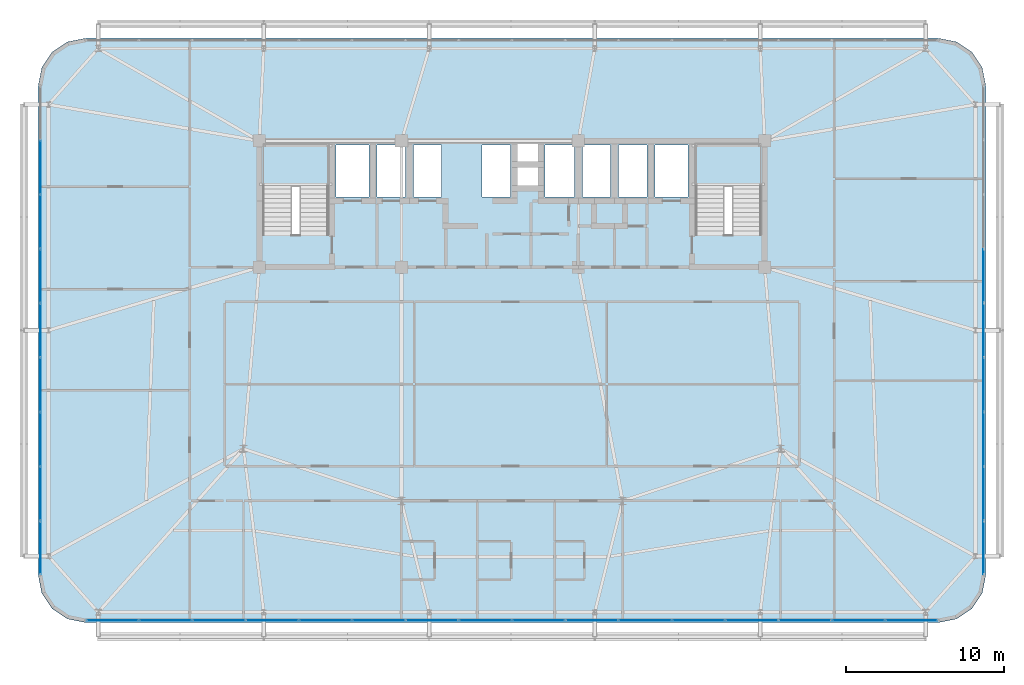
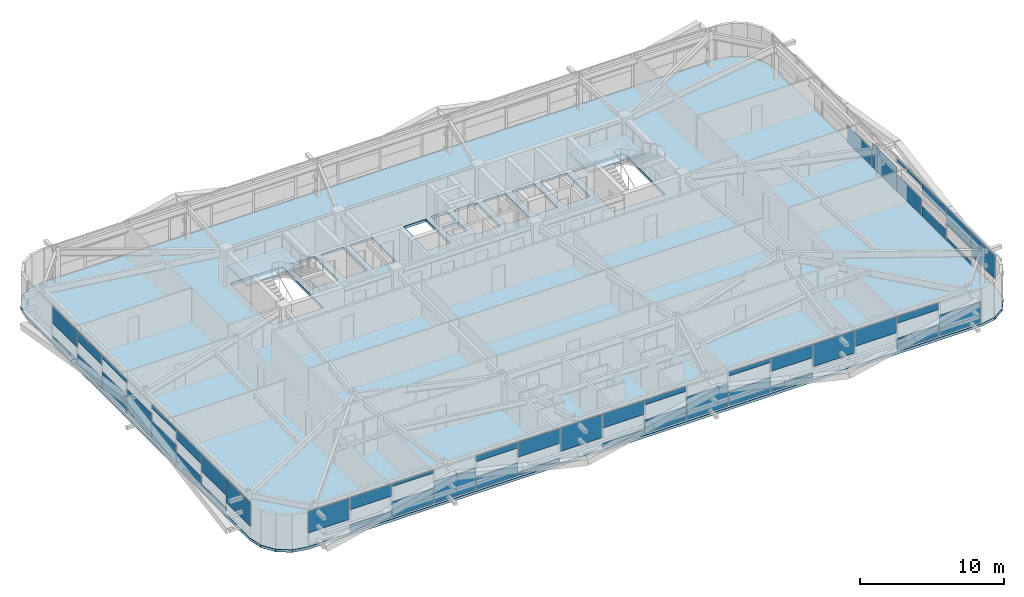
# One storey, part 42 of 59: 48 plates, 3 slabs, 5 elements without a shape of their own.
"""IFC4 building model written with IfcOpenShell, lengths in metres."""

from ifc_helpers import new_model, si_unit, direction, frame, origin, origin_2d, place, context, subcontext, project, spatial, polyline, rectangle, outline, extrude, source, transform, mapped, material, layer, layer_set, type_object, element, aggregate, save


model = new_model("IFC4")

# Units and contexts
model_context = context("Model", 3, precision=1e-05, world=origin(), true_north=direction((0.0, 1.0)))
body_context = subcontext(model_context, "Body", "Model", "MODEL_VIEW")
ifc_project = project(units=[si_unit("LENGTHUNIT", "METRE"), si_unit("AREAUNIT", "SQUARE_METRE"), si_unit("VOLUMEUNIT", "CUBIC_METRE"), si_unit("PLANEANGLEUNIT", "RADIAN"), si_unit("MASSUNIT", "GRAM", prefix="KILO")], contexts=[model_context])

# Site, building, storey
site_placement = place(None, origin())
site = spatial("IfcSite", under=ifc_project, at=site_placement, CompositionType="ELEMENT")
building_placement = place(site_placement, origin())
building = spatial("IfcBuilding", under=site, at=building_placement, Name="Taldren Reach Tower", CompositionType="ELEMENT")
storey_placement = place(building_placement, frame((0.0, 0.0, 48.300048828125)))
storey = spatial("IfcBuildingStorey", under=building, at=storey_placement, Name="L14", CompositionType="ELEMENT", Elevation=48.300048828125)

# Slab
ifc_material_1 = material(Name="Concrete N40 (40 MPa)", Category="concrete")
ifc_layer_1 = layer(ifc_material_1, 0.219970703125)
ifc_layer_set_1 = layer_set([ifc_layer_1], Name="Concrete N40 (40 MPa)")
slab_type_1 = type_object("IfcSlabType", Name="SL-FLR-220", PredefinedType="FLOOR", material=ifc_layer_set_1)
slab_1_placement = place(storey_placement, frame((0.0, 0.0, -0.219970703125)))
element("IfcSlab", 1, at=slab_1_placement, inside=storey, type_object=slab_type_1, Name="Suspended floor slab L14", PredefinedType="FLOOR", context=body_context, shape_type="SweptSolid", body=[
    extrude(outline(polyline([(62.0, 1.5), (63.14794921875, 1.728271484375), (64.121337890625, 2.378662109375), (64.771728515625, 3.35205078125), (65.0, 4.5), (65.0, 35.5), (64.771728515625, 36.64794921875), (64.121337890625, 37.621337890625), (63.14794921875, 38.271728515625), (62.0, 38.5), (8.0, 38.5), (6.85205078125, 38.271728515625), (5.878662109375, 37.621337890625), (5.228271484375, 36.64794921875), (5.0, 35.5), (5.0, 4.5), (5.228271484375, 3.35205078125), (5.878662109375, 2.378662109375), (6.85205078125, 1.728271484375), (8.0, 1.5), (62.0, 1.5)]), holes=[polyline([(19.219970703125, 26.050048828125), (23.3798828125, 26.050048828125), (23.3798828125, 31.820068359375), (19.219970703125, 31.820068359375), (19.219970703125, 26.050048828125)]), polyline([(46.6201171875, 26.050048828125), (50.780029296875, 26.050048828125), (50.780029296875, 31.820068359375), (46.6201171875, 31.820068359375), (46.6201171875, 26.050048828125)]), polyline([(23.85009765625, 28.449951171875), (25.949951171875, 28.449951171875), (25.949951171875, 31.75), (23.85009765625, 31.75), (23.85009765625, 28.449951171875)]), polyline([(44.050048828125, 28.449951171875), (46.14990234375, 28.449951171875), (46.14990234375, 31.75), (44.050048828125, 31.75), (44.050048828125, 28.449951171875)]), polyline([(26.449951171875, 28.449951171875), (28.25, 28.449951171875), (28.25, 31.75), (26.449951171875, 31.75), (26.449951171875, 28.449951171875)]), polyline([(28.75, 28.449951171875), (30.550048828125, 28.449951171875), (30.550048828125, 31.75), (28.75, 31.75), (28.75, 28.449951171875)]), polyline([(33.10009765625, 28.449951171875), (34.89990234375, 28.449951171875), (34.89990234375, 31.75), (33.10009765625, 31.75), (33.10009765625, 28.449951171875)]), polyline([(37.10009765625, 28.449951171875), (38.949951171875, 28.449951171875), (38.949951171875, 31.75), (37.10009765625, 31.75), (37.10009765625, 28.449951171875)]), polyline([(39.449951171875, 28.449951171875), (41.25, 28.449951171875), (41.25, 31.75), (39.449951171875, 31.75), (39.449951171875, 28.449951171875)]), polyline([(41.75, 28.449951171875), (43.550048828125, 28.449951171875), (43.550048828125, 31.75), (41.75, 31.75), (41.75, 28.449951171875)]), polyline([(35.35009765625, 30.64990234375), (36.64990234375, 30.64990234375), (36.64990234375, 31.85009765625), (35.35009765625, 31.85009765625), (35.35009765625, 30.64990234375)]), polyline([(35.35009765625, 29.14990234375), (36.64990234375, 29.14990234375), (36.64990234375, 30.35009765625), (35.35009765625, 30.35009765625), (35.35009765625, 29.14990234375)])]), origin(), (0.0, 0.0, 1.0), 0.219970703125),
])

# Stair, slab
ifc_material_2 = material(Name="Concrete S50 (50 MPa)", Category="concrete")
stair_type = type_object("IfcStairType", Name="ST-HT-315", PredefinedType="HALF_TURN_STAIR", material=ifc_material_2)
stair_1_placement = place(storey_placement, origin())
stair_1 = element("IfcStair", 2, at=stair_1_placement, inside=storey, type_object=stair_type, Name="Fire-isolated exit stair ST1 L14", PredefinedType="HALF_TURN_STAIR")
ifc_layer_2 = layer(ifc_material_2, 0.179931640625)
ifc_layer_set_2 = layer_set([ifc_layer_2], Name="Concrete S50 (50 MPa)")
slab_type_2 = type_object("IfcSlabType", Name="SL-LAND-180", PredefinedType="LANDING", material=ifc_layer_set_2)
slab_2_placement = place(storey_placement, frame((0.0, 0.0, 1.39501953125)))
slab_2 = element("IfcSlab", 3, at=slab_2_placement, type_object=slab_type_2, Name="ST1 landing 1", PredefinedType="LANDING", context=body_context, shape_type="SweptSolid", body=[
    extrude(outline(polyline([(19.0400390625, 29.135009765625), (23.56005859375, 29.135009765625), (23.56005859375, 31.8701171875), (19.0400390625, 31.8701171875), (19.0400390625, 29.135009765625)])), origin(), (0.0, 0.0, 1.0), 0.179931640625),
])
aggregate(stair_1, [slab_2])

stair_2_placement = place(storey_placement, origin())
stair_2 = element("IfcStair", 4, at=stair_2_placement, inside=storey, type_object=stair_type, Name="Fire-isolated exit stair ST2 L14", PredefinedType="HALF_TURN_STAIR")
slab_3_placement = place(storey_placement, frame((0.0, 0.0, 1.39501953125)))
slab_3 = element("IfcSlab", 5, at=slab_3_placement, type_object=slab_type_2, Name="ST2 landing 1", PredefinedType="LANDING", context=body_context, shape_type="SweptSolid", body=[
    extrude(outline(polyline([(46.43994140625, 29.135009765625), (50.9599609375, 29.135009765625), (50.9599609375, 31.8701171875), (46.43994140625, 31.8701171875), (46.43994140625, 29.135009765625)])), origin(), (0.0, 0.0, 1.0), 0.179931640625),
])
aggregate(stair_2, [slab_3])

# Curtain wall, plates
ifc_material_3 = material(Name="Aluminium and Low-E Glass Unitised System", Category="aluminium")
ifc_layer_3 = layer(ifc_material_3, 0.159912109375)
ifc_layer_set_3 = layer_set([ifc_layer_3], Name="Aluminium and Low-E Glass Unitised System")
curtain_wall_type = type_object("IfcCurtainWallType", Name="CW-SYS-2", PredefinedType="NOTDEFINED", material=ifc_layer_set_3)
curtain_wall_1_placement = place(storey_placement, origin())
curtain_wall_1 = element("IfcCurtainWall", 6, at=curtain_wall_1_placement, inside=storey, type_object=curtain_wall_type, Name="Unitised curtain wall CW-L14-S", PredefinedType="NOTDEFINED")
ifc_material_4 = material(Name="Solar-Control Double Glazed IGU", Category="glass")
ifc_layer_4 = layer(ifc_material_4, 0.031982421875)
ifc_layer_set_4 = layer_set([ifc_layer_4], Name="Solar-Control Double Glazed IGU")
plate_type = type_object("IfcPlateType", Name="CW-PNL-IGU32", PredefinedType="CURTAIN_PANEL", material=ifc_layer_set_4)
shared_shape_1 = source(origin(), body_context, "Body", "SweptSolid", [
    extrude(rectangle(XDim=3.277587890625, YDim=0.031982421875, at=origin_2d()), origin(), (0.0, 0.0, 1.0), 1.73876953125),
])
plate_1_placement = place(storey_placement, frame((60.296142578125, 1.639892578125, 0.054931640625), z_axis=(0.0, 0.0, 1.0), x_axis=(1.0, 0.0, 0.0)))
plate_1 = element("IfcPlate", 7, at=plate_1_placement, type_object=plate_type, Name="CW-2 panel 16.1 part 1", PredefinedType="CURTAIN_PANEL", context=body_context, shape_type="MappedRepresentation", body=[
    mapped(shared_shape_1, transform((0.0, 0.0, 0.0), scale=1.0)),
])
shared_shape_2 = source(origin(), body_context, "Body", "SweptSolid", [
    extrude(rectangle(XDim=3.31005859375, YDim=0.031982421875, at=origin_2d()), origin(), (0.0, 0.0, 1.0), 0.9560546875),
])
plate_2_placement = place(storey_placement, frame((56.9375, 1.639892578125, 0.054931640625), z_axis=(0.0, 0.0, 1.0), x_axis=(1.0, 0.0, 0.0)))
plate_2 = element("IfcPlate", 8, at=plate_2_placement, type_object=plate_type, Name="CW-2 panel 15.1 part 1", PredefinedType="CURTAIN_PANEL", context=body_context, shape_type="MappedRepresentation", body=[
    mapped(shared_shape_2, transform((0.0, 0.0, 0.0), scale=1.0)),
])
shared_shape_3 = source(origin(), body_context, "Body", "SweptSolid", [
    extrude(rectangle(XDim=3.31005859375, YDim=0.031982421875, at=origin_2d()), origin(), (0.0, 0.0, 1.0), 0.562744140625),
])
plate_3_placement = place(storey_placement, frame((56.9375, 1.639892578125, 2.31201171875), z_axis=(0.0, 0.0, 1.0), x_axis=(1.0, 0.0, 0.0)))
plate_3 = element("IfcPlate", 9, at=plate_3_placement, type_object=plate_type, Name="CW-2 panel 15.1 part 2", PredefinedType="CURTAIN_PANEL", context=body_context, shape_type="MappedRepresentation", body=[
    mapped(shared_shape_3, transform((0.0, 0.0, 0.0), scale=1.0)),
])
shared_shape_4 = source(origin(), body_context, "Body", "SweptSolid", [
    extrude(rectangle(XDim=3.31005859375, YDim=0.031982421875, at=origin_2d()), origin(), (0.0, 0.0, 1.0), 1.345458984375),
])
plate_4_placement = place(storey_placement, frame((53.5625, 1.639892578125, 1.529296875), z_axis=(0.0, 0.0, 1.0), x_axis=(1.0, 0.0, 0.0)))
plate_4 = element("IfcPlate", 10, at=plate_4_placement, type_object=plate_type, Name="CW-2 panel 14.1 part 1", PredefinedType="CURTAIN_PANEL", context=body_context, shape_type="MappedRepresentation", body=[
    mapped(shared_shape_4, transform((0.0, 0.0, 0.0), scale=1.0)),
])
shared_shape_5 = source(origin(), body_context, "Body", "SweptSolid", [
    extrude(rectangle(XDim=3.31005859375, YDim=0.031982421875, at=origin_2d()), origin(), (0.0, 0.0, 1.0), 1.881103515625),
])
plate_5_placement = place(storey_placement, frame((50.1875, 1.639892578125, 0.99365234375), z_axis=(0.0, 0.0, 1.0), x_axis=(1.0, 0.0, 0.0)))
plate_5 = element("IfcPlate", 11, at=plate_5_placement, type_object=plate_type, Name="CW-2 panel 13.1 part 1", PredefinedType="CURTAIN_PANEL", context=body_context, shape_type="MappedRepresentation", body=[
    mapped(shared_shape_5, transform((0.0, 0.0, 0.0), scale=1.0)),
])
shared_shape_6 = source(origin(), body_context, "Body", "SweptSolid", [
    extrude(rectangle(XDim=3.31005859375, YDim=0.031982421875, at=origin_2d()), origin(), (0.0, 0.0, 1.0), 0.42041015625),
])
plate_6_placement = place(storey_placement, frame((46.8125, 1.639892578125, 0.054931640625), z_axis=(0.0, 0.0, 1.0), x_axis=(1.0, 0.0, 0.0)))
plate_6 = element("IfcPlate", 12, at=plate_6_placement, type_object=plate_type, Name="CW-2 panel 12.1 part 1", PredefinedType="CURTAIN_PANEL", context=body_context, shape_type="MappedRepresentation", body=[
    mapped(shared_shape_6, transform((0.0, 0.0, 0.0), scale=1.0)),
])
shared_shape_7 = source(origin(), body_context, "Body", "SweptSolid", [
    extrude(rectangle(XDim=3.31005859375, YDim=0.031982421875, at=origin_2d()), origin(), (0.0, 0.0, 1.0), 1.098388671875),
])
plate_7_placement = place(storey_placement, frame((46.8125, 1.639892578125, 1.7763671875), z_axis=(0.0, 0.0, 1.0), x_axis=(1.0, 0.0, 0.0)))
plate_7 = element("IfcPlate", 13, at=plate_7_placement, type_object=plate_type, Name="CW-2 panel 12.1 part 2", PredefinedType="CURTAIN_PANEL", context=body_context, shape_type="MappedRepresentation", body=[
    mapped(shared_shape_7, transform((0.0, 0.0, 0.0), scale=1.0)),
])
shared_shape_8 = source(origin(), body_context, "Body", "SweptSolid", [
    extrude(rectangle(XDim=3.31005859375, YDim=0.031982421875, at=origin_2d()), origin(), (0.0, 0.0, 1.0), 1.203125),
])
plate_8_placement = place(storey_placement, frame((43.4375, 1.639892578125, 0.054931640625), z_axis=(0.0, 0.0, 1.0), x_axis=(1.0, 0.0, 0.0)))
plate_8 = element("IfcPlate", 14, at=plate_8_placement, type_object=plate_type, Name="CW-2 panel 11.1 part 1", PredefinedType="CURTAIN_PANEL", context=body_context, shape_type="MappedRepresentation", body=[
    mapped(shared_shape_8, transform((0.0, 0.0, 0.0), scale=1.0)),
])
shared_shape_9 = source(origin(), body_context, "Body", "SweptSolid", [
    extrude(rectangle(XDim=3.31005859375, YDim=0.031982421875, at=origin_2d()), origin(), (0.0, 0.0, 1.0), 0.31591796875),
])
plate_9_placement = place(storey_placement, frame((43.4375, 1.639892578125, 2.55908203125), z_axis=(0.0, 0.0, 1.0), x_axis=(1.0, 0.0, 0.0)))
plate_9 = element("IfcPlate", 15, at=plate_9_placement, type_object=plate_type, Name="CW-2 panel 11.1 part 2", PredefinedType="CURTAIN_PANEL", context=body_context, shape_type="MappedRepresentation", body=[
    mapped(shared_shape_9, transform((0.0, 0.0, 0.0), scale=1.0)),
])
shared_shape_10 = source(origin(), body_context, "Body", "SweptSolid", [
    extrude(rectangle(XDim=3.31005859375, YDim=0.031982421875, at=origin_2d()), origin(), (0.0, 0.0, 1.0), 1.9033203125),
])
plate_10_placement = place(storey_placement, frame((40.0625, 1.639892578125, 0.054931640625), z_axis=(0.0, 0.0, 1.0), x_axis=(1.0, 0.0, 0.0)))
plate_10 = element("IfcPlate", 16, at=plate_10_placement, type_object=plate_type, Name="CW-2 panel 10.1 part 1", PredefinedType="CURTAIN_PANEL", context=body_context, shape_type="MappedRepresentation", body=[
    mapped(shared_shape_10, transform((0.0, 0.0, 0.0), scale=1.0)),
])
shared_shape_11 = source(origin(), body_context, "Body", "SweptSolid", [
    extrude(rectangle(XDim=3.31005859375, YDim=0.031982421875, at=origin_2d()), origin(), (0.0, 0.0, 1.0), 1.120849609375),
])
plate_11_placement = place(storey_placement, frame((36.6875, 1.639892578125, 0.0546875), z_axis=(0.0, 0.0, 1.0), x_axis=(1.0, 0.0, 0.0)))
plate_11 = element("IfcPlate", 17, at=plate_11_placement, type_object=plate_type, Name="CW-2 panel 9.1 part 1", PredefinedType="CURTAIN_PANEL", context=body_context, shape_type="MappedRepresentation", body=[
    mapped(shared_shape_11, transform((0.0, 0.0, 0.0), scale=1.0)),
])
shared_shape_12 = source(origin(), body_context, "Body", "SweptSolid", [
    extrude(rectangle(XDim=3.31005859375, YDim=0.031982421875, at=origin_2d()), origin(), (0.0, 0.0, 1.0), 0.398193359375),
])
plate_12_placement = place(storey_placement, frame((36.6875, 1.639892578125, 2.4765625), z_axis=(0.0, 0.0, 1.0), x_axis=(1.0, 0.0, 0.0)))
plate_12 = element("IfcPlate", 18, at=plate_12_placement, type_object=plate_type, Name="CW-2 panel 9.1 part 2", PredefinedType="CURTAIN_PANEL", context=body_context, shape_type="MappedRepresentation", body=[
    mapped(shared_shape_12, transform((0.0, 0.0, 0.0), scale=1.0)),
])
shared_shape_13 = source(origin(), body_context, "Body", "SweptSolid", [
    extrude(rectangle(XDim=3.31005859375, YDim=0.031982421875, at=origin_2d()), origin(), (0.0, 0.0, 1.0), 0.338134765625),
])
plate_13_placement = place(storey_placement, frame((33.3125, 1.639892578125, 0.05517578125), z_axis=(0.0, 0.0, 1.0), x_axis=(1.0, 0.0, 0.0)))
plate_13 = element("IfcPlate", 19, at=plate_13_placement, type_object=plate_type, Name="CW-2 panel 8.1 part 1", PredefinedType="CURTAIN_PANEL", context=body_context, shape_type="MappedRepresentation", body=[
    mapped(shared_shape_13, transform((0.0, 0.0, 0.0), scale=1.0)),
])
shared_shape_14 = source(origin(), body_context, "Body", "SweptSolid", [
    extrude(rectangle(XDim=3.31005859375, YDim=0.031982421875, at=origin_2d()), origin(), (0.0, 0.0, 1.0), 1.1806640625),
])
plate_14_placement = place(storey_placement, frame((33.3125, 1.639892578125, 1.6943359375), z_axis=(0.0, 0.0, 1.0), x_axis=(1.0, 0.0, 0.0)))
plate_14 = element("IfcPlate", 20, at=plate_14_placement, type_object=plate_type, Name="CW-2 panel 8.1 part 2", PredefinedType="CURTAIN_PANEL", context=body_context, shape_type="MappedRepresentation", body=[
    mapped(shared_shape_14, transform((0.0, 0.0, 0.0), scale=1.0)),
])
shared_shape_15 = source(origin(), body_context, "Body", "SweptSolid", [
    extrude(rectangle(XDim=3.31005859375, YDim=0.031982421875, at=origin_2d()), origin(), (0.0, 0.0, 1.0), 1.96337890625),
])
plate_15_placement = place(storey_placement, frame((29.9375, 1.639892578125, 0.91162109375), z_axis=(0.0, 0.0, 1.0), x_axis=(1.0, 0.0, 0.0)))
plate_15 = element("IfcPlate", 21, at=plate_15_placement, type_object=plate_type, Name="CW-2 panel 7.1 part 1", PredefinedType="CURTAIN_PANEL", context=body_context, shape_type="MappedRepresentation", body=[
    mapped(shared_shape_15, transform((0.0, 0.0, 0.0), scale=1.0)),
])
shared_shape_16 = source(origin(), body_context, "Body", "SweptSolid", [
    extrude(rectangle(XDim=3.31005859375, YDim=0.031982421875, at=origin_2d()), origin(), (0.0, 0.0, 1.0), 0.255859375),
])
plate_16_placement = place(storey_placement, frame((26.5625, 1.639892578125, 0.054931640625), z_axis=(0.0, 0.0, 1.0), x_axis=(1.0, 0.0, 0.0)))
plate_16 = element("IfcPlate", 22, at=plate_16_placement, type_object=plate_type, Name="CW-2 panel 6.1 part 1", PredefinedType="CURTAIN_PANEL", context=body_context, shape_type="MappedRepresentation", body=[
    mapped(shared_shape_16, transform((0.0, 0.0, 0.0), scale=1.0)),
])
shared_shape_17 = source(origin(), body_context, "Body", "SweptSolid", [
    extrude(rectangle(XDim=3.31005859375, YDim=0.031982421875, at=origin_2d()), origin(), (0.0, 0.0, 1.0), 1.26318359375),
])
plate_17_placement = place(storey_placement, frame((26.5625, 1.639892578125, 1.61181640625), z_axis=(0.0, 0.0, 1.0), x_axis=(1.0, 0.0, 0.0)))
plate_17 = element("IfcPlate", 23, at=plate_17_placement, type_object=plate_type, Name="CW-2 panel 6.1 part 2", PredefinedType="CURTAIN_PANEL", context=body_context, shape_type="MappedRepresentation", body=[
    mapped(shared_shape_17, transform((0.0, 0.0, 0.0), scale=1.0)),
])
shared_shape_18 = source(origin(), body_context, "Body", "SweptSolid", [
    extrude(rectangle(XDim=3.31005859375, YDim=0.031982421875, at=origin_2d()), origin(), (0.0, 0.0, 1.0), 1.03857421875),
])
plate_18_placement = place(storey_placement, frame((23.1875, 1.639892578125, 0.054931640625), z_axis=(0.0, 0.0, 1.0), x_axis=(1.0, 0.0, 0.0)))
plate_18 = element("IfcPlate", 24, at=plate_18_placement, type_object=plate_type, Name="CW-2 panel 5.1 part 1", PredefinedType="CURTAIN_PANEL", context=body_context, shape_type="MappedRepresentation", body=[
    mapped(shared_shape_18, transform((0.0, 0.0, 0.0), scale=1.0)),
])
shared_shape_19 = source(origin(), body_context, "Body", "SweptSolid", [
    extrude(rectangle(XDim=3.31005859375, YDim=0.031982421875, at=origin_2d()), origin(), (0.0, 0.0, 1.0), 0.48046875),
])
plate_19_placement = place(storey_placement, frame((23.1875, 1.639892578125, 2.39453125), z_axis=(0.0, 0.0, 1.0), x_axis=(1.0, 0.0, 0.0)))
plate_19 = element("IfcPlate", 25, at=plate_19_placement, type_object=plate_type, Name="CW-2 panel 5.1 part 2", PredefinedType="CURTAIN_PANEL", context=body_context, shape_type="MappedRepresentation", body=[
    mapped(shared_shape_19, transform((0.0, 0.0, 0.0), scale=1.0)),
])
shared_shape_20 = source(origin(), body_context, "Body", "SweptSolid", [
    extrude(rectangle(XDim=3.31005859375, YDim=0.031982421875, at=origin_2d()), origin(), (0.0, 0.0, 1.0), 1.821044921875),
])
plate_20_placement = place(storey_placement, frame((19.8125, 1.639892578125, 0.05517578125), z_axis=(0.0, 0.0, 1.0), x_axis=(1.0, 0.0, 0.0)))
plate_20 = element("IfcPlate", 26, at=plate_20_placement, type_object=plate_type, Name="CW-2 panel 4.1 part 1", PredefinedType="CURTAIN_PANEL", context=body_context, shape_type="MappedRepresentation", body=[
    mapped(shared_shape_20, transform((0.0, 0.0, 0.0), scale=1.0)),
])
shared_shape_21 = source(origin(), body_context, "Body", "SweptSolid", [
    extrude(rectangle(XDim=3.31005859375, YDim=0.031982421875, at=origin_2d()), origin(), (0.0, 0.0, 1.0), 1.285400390625),
])
plate_21_placement = place(storey_placement, frame((16.4375, 1.639892578125, 0.05517578125), z_axis=(0.0, 0.0, 1.0), x_axis=(1.0, 0.0, 0.0)))
plate_21 = element("IfcPlate", 27, at=plate_21_placement, type_object=plate_type, Name="CW-2 panel 3.1 part 1", PredefinedType="CURTAIN_PANEL", context=body_context, shape_type="MappedRepresentation", body=[
    mapped(shared_shape_21, transform((0.0, 0.0, 0.0), scale=1.0)),
])
shared_shape_22 = source(origin(), body_context, "Body", "SweptSolid", [
    extrude(rectangle(XDim=3.31005859375, YDim=0.031982421875, at=origin_2d()), origin(), (0.0, 0.0, 1.0), 0.233642578125),
])
plate_22_placement = place(storey_placement, frame((16.4375, 1.639892578125, 2.64111328125), z_axis=(0.0, 0.0, 1.0), x_axis=(1.0, 0.0, 0.0)))
plate_22 = element("IfcPlate", 28, at=plate_22_placement, type_object=plate_type, Name="CW-2 panel 3.1 part 2", PredefinedType="CURTAIN_PANEL", context=body_context, shape_type="MappedRepresentation", body=[
    mapped(shared_shape_22, transform((0.0, 0.0, 0.0), scale=1.0)),
])
shared_shape_23 = source(origin(), body_context, "Body", "SweptSolid", [
    extrude(rectangle(XDim=3.31005859375, YDim=0.031982421875, at=origin_2d()), origin(), (0.0, 0.0, 1.0), 0.5029296875),
])
plate_23_placement = place(storey_placement, frame((13.0625, 1.639892578125, 0.054931640625), z_axis=(0.0, 0.0, 1.0), x_axis=(1.0, 0.0, 0.0)))
plate_23 = element("IfcPlate", 29, at=plate_23_placement, type_object=plate_type, Name="CW-2 panel 2.1 part 1", PredefinedType="CURTAIN_PANEL", context=body_context, shape_type="MappedRepresentation", body=[
    mapped(shared_shape_23, transform((0.0, 0.0, 0.0), scale=1.0)),
])
shared_shape_24 = source(origin(), body_context, "Body", "SweptSolid", [
    extrude(rectangle(XDim=3.31005859375, YDim=0.031982421875, at=origin_2d()), origin(), (0.0, 0.0, 1.0), 1.01611328125),
])
plate_24_placement = place(storey_placement, frame((13.0625, 1.639892578125, 1.85888671875), z_axis=(0.0, 0.0, 1.0), x_axis=(1.0, 0.0, 0.0)))
plate_24 = element("IfcPlate", 30, at=plate_24_placement, type_object=plate_type, Name="CW-2 panel 2.1 part 2", PredefinedType="CURTAIN_PANEL", context=body_context, shape_type="MappedRepresentation", body=[
    mapped(shared_shape_24, transform((0.0, 0.0, 0.0), scale=1.0)),
])
shared_shape_25 = source(origin(), body_context, "Body", "SweptSolid", [
    extrude(rectangle(XDim=3.277587890625, YDim=0.031982421875, at=origin_2d()), origin(), (0.0, 0.0, 1.0), 1.798583984375),
])
plate_25_placement = place(storey_placement, frame((9.703857421875, 1.639892578125, 1.076171875), z_axis=(0.0, 0.0, 1.0), x_axis=(1.0, 0.0, 0.0)))
plate_25 = element("IfcPlate", 31, at=plate_25_placement, type_object=plate_type, Name="CW-2 panel 1.1 part 1", PredefinedType="CURTAIN_PANEL", context=body_context, shape_type="MappedRepresentation", body=[
    mapped(shared_shape_25, transform((0.0, 0.0, 0.0), scale=1.0)),
])
aggregate(curtain_wall_1, [plate_25, plate_23, plate_24, plate_21, plate_22, plate_20, plate_18, plate_19, plate_16, plate_17, plate_15, plate_13, plate_14, plate_11, plate_12, plate_10, plate_8, plate_9, plate_6, plate_7, plate_5, plate_4, plate_2, plate_3, plate_1])

# Curtain wall, plate
curtain_wall_2_placement = place(storey_placement, origin())
curtain_wall_2 = element("IfcCurtainWall", 32, at=curtain_wall_2_placement, inside=storey, type_object=curtain_wall_type, Name="Unitised curtain wall CW-L14-W", PredefinedType="NOTDEFINED")
shared_shape_26 = source(origin(), body_context, "Body", "SweptSolid", [
    extrude(rectangle(XDim=3.346923828125, YDim=0.031982421875, at=origin_2d()), origin(), (0.0, 0.0, 1.0), 2.015380859375),
])
plate_26_placement = place(storey_placement, frame((5.139892578125, 6.238525390625, 0.859375), z_axis=(0.0, 0.0, 1.0), x_axis=(0.0, -1.0, 0.0)))
plate_26 = element("IfcPlate", 33, at=plate_26_placement, type_object=plate_type, Name="CW-2 panel 9.1 part 1", PredefinedType="CURTAIN_PANEL", context=body_context, shape_type="MappedRepresentation", body=[
    mapped(shared_shape_26, transform((0.0, 0.0, 0.0), scale=1.0)),
])

curtain_wall_3_placement = place(storey_placement, origin())
curtain_wall_3 = element("IfcCurtainWall", 34, at=curtain_wall_3_placement, inside=storey, type_object=curtain_wall_type, Name="Unitised curtain wall CW-L14-E", PredefinedType="NOTDEFINED")
plate_27_placement = place(storey_placement, frame((64.860107421875, 6.238525390625, 0.859375), z_axis=(0.0, 0.0, 1.0), x_axis=(0.0, 1.0, 0.0)))
plate_27 = element("IfcPlate", 35, at=plate_27_placement, type_object=plate_type, Name="CW-2 panel 1.1 part 1", PredefinedType="CURTAIN_PANEL", context=body_context, shape_type="MappedRepresentation", body=[
    mapped(shared_shape_26, transform((0.0, 0.0, 0.0), scale=1.0)),
])

# Plate
shared_shape_27 = source(origin(), body_context, "Body", "SweptSolid", [
    extrude(rectangle(XDim=3.37939453125, YDim=0.031982421875, at=origin_2d()), origin(), (0.0, 0.0, 1.0), 0.288330078125),
])
plate_28_placement = place(storey_placement, frame((5.139892578125, 30.333251953125, 0.0546875), z_axis=(0.0, 0.0, 1.0), x_axis=(0.0, -1.0, 0.0)))
plate_28 = element("IfcPlate", 36, at=plate_28_placement, type_object=plate_type, Name="CW-2 panel 2.1 part 1", PredefinedType="CURTAIN_PANEL", context=body_context, shape_type="MappedRepresentation", body=[
    mapped(shared_shape_27, transform((0.0, 0.0, 0.0), scale=1.0)),
])

plate_29_placement = place(storey_placement, frame((5.139892578125, 9.666748046875, 0.0546875), z_axis=(0.0, 0.0, 1.0), x_axis=(0.0, -1.0, 0.0)))
plate_29 = element("IfcPlate", 37, at=plate_29_placement, type_object=plate_type, Name="CW-2 panel 8.1 part 1", PredefinedType="CURTAIN_PANEL", context=body_context, shape_type="MappedRepresentation", body=[
    mapped(shared_shape_27, transform((0.0, 0.0, 0.0), scale=1.0)),
])

plate_30_placement = place(storey_placement, frame((64.860107421875, 9.666748046875, 0.0546875), z_axis=(0.0, 0.0, 1.0), x_axis=(0.0, 1.0, 0.0)))
plate_30 = element("IfcPlate", 38, at=plate_30_placement, type_object=plate_type, Name="CW-2 panel 2.1 part 1", PredefinedType="CURTAIN_PANEL", context=body_context, shape_type="MappedRepresentation", body=[
    mapped(shared_shape_27, transform((0.0, 0.0, 0.0), scale=1.0)),
])

shared_shape_28 = source(origin(), body_context, "Body", "SweptSolid", [
    extrude(rectangle(XDim=3.37939453125, YDim=0.031982421875, at=origin_2d()), origin(), (0.0, 0.0, 1.0), 1.43017578125),
])
plate_31_placement = place(storey_placement, frame((5.139892578125, 30.333251953125, 1.44482421875), z_axis=(0.0, 0.0, 1.0), x_axis=(0.0, -1.0, 0.0)))
plate_31 = element("IfcPlate", 39, at=plate_31_placement, type_object=plate_type, Name="CW-2 panel 2.1 part 2", PredefinedType="CURTAIN_PANEL", context=body_context, shape_type="MappedRepresentation", body=[
    mapped(shared_shape_28, transform((0.0, 0.0, 0.0), scale=1.0)),
])

plate_32_placement = place(storey_placement, frame((5.139892578125, 9.666748046875, 1.44482421875), z_axis=(0.0, 0.0, 1.0), x_axis=(0.0, -1.0, 0.0)))
plate_32 = element("IfcPlate", 40, at=plate_32_placement, type_object=plate_type, Name="CW-2 panel 8.1 part 2", PredefinedType="CURTAIN_PANEL", context=body_context, shape_type="MappedRepresentation", body=[
    mapped(shared_shape_28, transform((0.0, 0.0, 0.0), scale=1.0)),
])

plate_33_placement = place(storey_placement, frame((64.860107421875, 9.666748046875, 1.44482421875), z_axis=(0.0, 0.0, 1.0), x_axis=(0.0, 1.0, 0.0)))
plate_33 = element("IfcPlate", 41, at=plate_33_placement, type_object=plate_type, Name="CW-2 panel 2.1 part 2", PredefinedType="CURTAIN_PANEL", context=body_context, shape_type="MappedRepresentation", body=[
    mapped(shared_shape_28, transform((0.0, 0.0, 0.0), scale=1.0)),
])

shared_shape_29 = source(origin(), body_context, "Body", "SweptSolid", [
    extrude(rectangle(XDim=3.37939453125, YDim=0.031982421875, at=origin_2d()), origin(), (0.0, 0.0, 1.0), 0.87353515625),
])
plate_34_placement = place(storey_placement, frame((5.139892578125, 26.888916015625, 0.054931640625), z_axis=(0.0, 0.0, 1.0), x_axis=(0.0, -1.0, 0.0)))
plate_34 = element("IfcPlate", 42, at=plate_34_placement, type_object=plate_type, Name="CW-2 panel 3.1 part 1", PredefinedType="CURTAIN_PANEL", context=body_context, shape_type="MappedRepresentation", body=[
    mapped(shared_shape_29, transform((0.0, 0.0, 0.0), scale=1.0)),
])

plate_35_placement = place(storey_placement, frame((5.139892578125, 13.111083984375, 0.054931640625), z_axis=(0.0, 0.0, 1.0), x_axis=(0.0, -1.0, 0.0)))
plate_35 = element("IfcPlate", 43, at=plate_35_placement, type_object=plate_type, Name="CW-2 panel 7.1 part 1", PredefinedType="CURTAIN_PANEL", context=body_context, shape_type="MappedRepresentation", body=[
    mapped(shared_shape_29, transform((0.0, 0.0, 0.0), scale=1.0)),
])

plate_36_placement = place(storey_placement, frame((64.860107421875, 13.111083984375, 0.054931640625), z_axis=(0.0, 0.0, 1.0), x_axis=(0.0, 1.0, 0.0)))
plate_36 = element("IfcPlate", 44, at=plate_36_placement, type_object=plate_type, Name="CW-2 panel 3.1 part 1", PredefinedType="CURTAIN_PANEL", context=body_context, shape_type="MappedRepresentation", body=[
    mapped(shared_shape_29, transform((0.0, 0.0, 0.0), scale=1.0)),
])

shared_shape_30 = source(origin(), body_context, "Body", "SweptSolid", [
    extrude(rectangle(XDim=3.37939453125, YDim=0.031982421875, at=origin_2d()), origin(), (0.0, 0.0, 1.0), 0.8447265625),
])
plate_37_placement = place(storey_placement, frame((5.139892578125, 26.888916015625, 2.0302734375), z_axis=(0.0, 0.0, 1.0), x_axis=(0.0, -1.0, 0.0)))
plate_37 = element("IfcPlate", 45, at=plate_37_placement, type_object=plate_type, Name="CW-2 panel 3.1 part 2", PredefinedType="CURTAIN_PANEL", context=body_context, shape_type="MappedRepresentation", body=[
    mapped(shared_shape_30, transform((0.0, 0.0, 0.0), scale=1.0)),
])

plate_38_placement = place(storey_placement, frame((5.139892578125, 13.111083984375, 2.0302734375), z_axis=(0.0, 0.0, 1.0), x_axis=(0.0, -1.0, 0.0)))
plate_38 = element("IfcPlate", 46, at=plate_38_placement, type_object=plate_type, Name="CW-2 panel 7.1 part 2", PredefinedType="CURTAIN_PANEL", context=body_context, shape_type="MappedRepresentation", body=[
    mapped(shared_shape_30, transform((0.0, 0.0, 0.0), scale=1.0)),
])

plate_39_placement = place(storey_placement, frame((64.860107421875, 13.111083984375, 2.0302734375), z_axis=(0.0, 0.0, 1.0), x_axis=(0.0, 1.0, 0.0)))
plate_39 = element("IfcPlate", 47, at=plate_39_placement, type_object=plate_type, Name="CW-2 panel 3.1 part 2", PredefinedType="CURTAIN_PANEL", context=body_context, shape_type="MappedRepresentation", body=[
    mapped(shared_shape_30, transform((0.0, 0.0, 0.0), scale=1.0)),
])

shared_shape_31 = source(origin(), body_context, "Body", "SweptSolid", [
    extrude(rectangle(XDim=3.37939453125, YDim=0.031982421875, at=origin_2d()), origin(), (0.0, 0.0, 1.0), 1.458984375),
])
plate_40_placement = place(storey_placement, frame((5.139892578125, 23.4443359375, 0.054931640625), z_axis=(0.0, 0.0, 1.0), x_axis=(0.0, -1.0, 0.0)))
plate_40 = element("IfcPlate", 48, at=plate_40_placement, type_object=plate_type, Name="CW-2 panel 4.1 part 1", PredefinedType="CURTAIN_PANEL", context=body_context, shape_type="MappedRepresentation", body=[
    mapped(shared_shape_31, transform((0.0, 0.0, 0.0), scale=1.0)),
])

plate_41_placement = place(storey_placement, frame((5.139892578125, 16.5556640625, 0.054931640625), z_axis=(0.0, 0.0, 1.0), x_axis=(0.0, -1.0, 0.0)))
plate_41 = element("IfcPlate", 49, at=plate_41_placement, type_object=plate_type, Name="CW-2 panel 6.1 part 1", PredefinedType="CURTAIN_PANEL", context=body_context, shape_type="MappedRepresentation", body=[
    mapped(shared_shape_31, transform((0.0, 0.0, 0.0), scale=1.0)),
])

plate_42_placement = place(storey_placement, frame((64.860107421875, 16.5556640625, 0.054931640625), z_axis=(0.0, 0.0, 1.0), x_axis=(0.0, 1.0, 0.0)))
plate_42 = element("IfcPlate", 50, at=plate_42_placement, type_object=plate_type, Name="CW-2 panel 4.1 part 1", PredefinedType="CURTAIN_PANEL", context=body_context, shape_type="MappedRepresentation", body=[
    mapped(shared_shape_31, transform((0.0, 0.0, 0.0), scale=1.0)),
])

plate_43_placement = place(storey_placement, frame((64.860107421875, 23.4443359375, 0.054931640625), z_axis=(0.0, 0.0, 1.0), x_axis=(0.0, 1.0, 0.0)))
plate_43 = element("IfcPlate", 51, at=plate_43_placement, type_object=plate_type, Name="CW-2 panel 6.1 part 1", PredefinedType="CURTAIN_PANEL", context=body_context, shape_type="MappedRepresentation", body=[
    mapped(shared_shape_31, transform((0.0, 0.0, 0.0), scale=1.0)),
])

shared_shape_32 = source(origin(), body_context, "Body", "SweptSolid", [
    extrude(rectangle(XDim=3.37939453125, YDim=0.031982421875, at=origin_2d()), origin(), (0.0, 0.0, 1.0), 0.259521484375),
])
plate_44_placement = place(storey_placement, frame((5.139892578125, 23.4443359375, 2.615234375), z_axis=(0.0, 0.0, 1.0), x_axis=(0.0, -1.0, 0.0)))
plate_44 = element("IfcPlate", 52, at=plate_44_placement, type_object=plate_type, Name="CW-2 panel 4.1 part 2", PredefinedType="CURTAIN_PANEL", context=body_context, shape_type="MappedRepresentation", body=[
    mapped(shared_shape_32, transform((0.0, 0.0, 0.0), scale=1.0)),
])

plate_45_placement = place(storey_placement, frame((5.139892578125, 16.5556640625, 2.615234375), z_axis=(0.0, 0.0, 1.0), x_axis=(0.0, -1.0, 0.0)))
plate_45 = element("IfcPlate", 53, at=plate_45_placement, type_object=plate_type, Name="CW-2 panel 6.1 part 2", PredefinedType="CURTAIN_PANEL", context=body_context, shape_type="MappedRepresentation", body=[
    mapped(shared_shape_32, transform((0.0, 0.0, 0.0), scale=1.0)),
])

plate_46_placement = place(storey_placement, frame((64.860107421875, 16.5556640625, 2.615234375), z_axis=(0.0, 0.0, 1.0), x_axis=(0.0, 1.0, 0.0)))
plate_46 = element("IfcPlate", 54, at=plate_46_placement, type_object=plate_type, Name="CW-2 panel 4.1 part 2", PredefinedType="CURTAIN_PANEL", context=body_context, shape_type="MappedRepresentation", body=[
    mapped(shared_shape_32, transform((0.0, 0.0, 0.0), scale=1.0)),
])

shared_shape_33 = source(origin(), body_context, "Body", "SweptSolid", [
    extrude(rectangle(XDim=3.37939453125, YDim=0.031982421875, at=origin_2d()), origin(), (0.0, 0.0, 1.0), 2.044189453125),
])
plate_47_placement = place(storey_placement, frame((5.139892578125, 20.0, 0.05517578125), z_axis=(0.0, 0.0, 1.0), x_axis=(0.0, -1.0, 0.0)))
plate_47 = element("IfcPlate", 55, at=plate_47_placement, type_object=plate_type, Name="CW-2 panel 5.1 part 1", PredefinedType="CURTAIN_PANEL", context=body_context, shape_type="MappedRepresentation", body=[
    mapped(shared_shape_33, transform((0.0, 0.0, 0.0), scale=1.0)),
])

aggregate(curtain_wall_2, [plate_28, plate_31, plate_34, plate_37, plate_40, plate_44, plate_47, plate_41, plate_45, plate_35, plate_38, plate_29, plate_32, plate_26])

plate_48_placement = place(storey_placement, frame((64.860107421875, 20.0, 0.05517578125), z_axis=(0.0, 0.0, 1.0), x_axis=(0.0, 1.0, 0.0)))
plate_48 = element("IfcPlate", 56, at=plate_48_placement, type_object=plate_type, Name="CW-2 panel 5.1 part 1", PredefinedType="CURTAIN_PANEL", context=body_context, shape_type="MappedRepresentation", body=[
    mapped(shared_shape_33, transform((0.0, 0.0, 0.0), scale=1.0)),
])

aggregate(curtain_wall_3, [plate_27, plate_30, plate_33, plate_36, plate_39, plate_42, plate_46, plate_48, plate_43])

save(model, "model.ifc")
